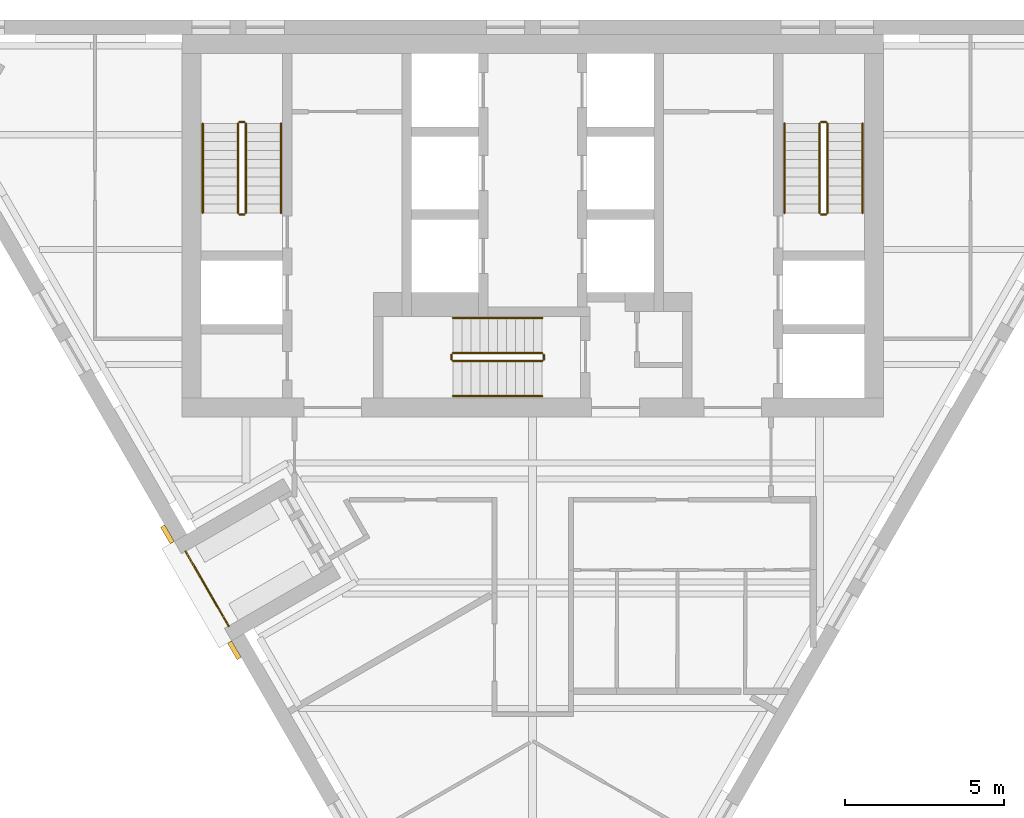
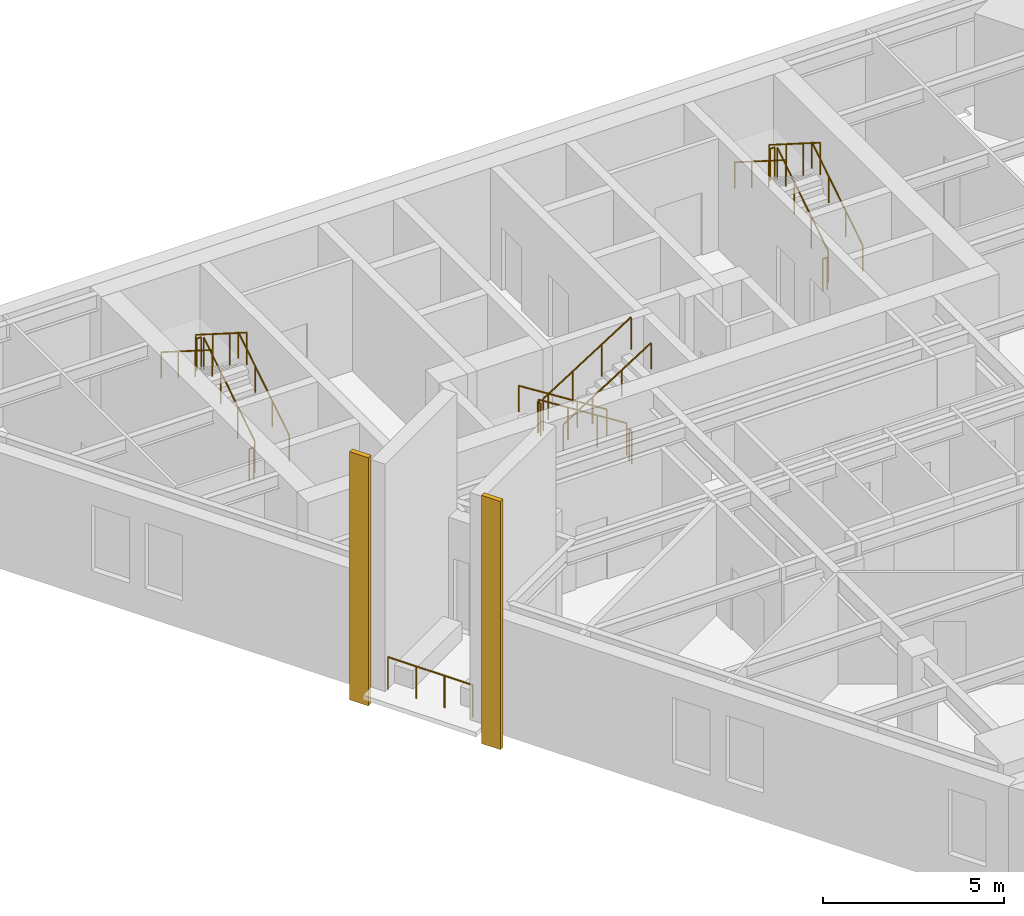
# One storey, part 7 of 7: 19 railings, 2 coverings.
"""IFC4 building model written with IfcOpenShell, lengths in metres."""

from ifc_helpers import new_model, si_unit, direction, frame, origin, origin_2d, place, context, subcontext, project, spatial, polyline, circle, outline, extrude, material, layer, layer_set, type_object, element, save


model = new_model("IFC4")

# Units and contexts
model_context = context("Model", 3, precision=1e-05, world=origin(), true_north=direction((0.0, 1.0)))
body_context = subcontext(model_context, "Body", "Model", "MODEL_VIEW")
ifc_project = project(units=[si_unit("LENGTHUNIT", "METRE"), si_unit("AREAUNIT", "SQUARE_METRE"), si_unit("VOLUMEUNIT", "CUBIC_METRE"), si_unit("PLANEANGLEUNIT", "RADIAN"), si_unit("MASSUNIT", "GRAM", prefix="KILO")], contexts=[model_context])

# Site, building, storey
site_placement = place(None, origin())
site = spatial("IfcSite", under=ifc_project, at=site_placement, CompositionType="ELEMENT")
building_placement = place(site_placement, origin())
building = spatial("IfcBuilding", under=site, at=building_placement, Name="Aloe Facet Convention Tower", CompositionType="ELEMENT")
storey_placement = place(building_placement, frame((0.0, 0.0, 258.199951171875)))
storey = spatial("IfcBuildingStorey", under=building, at=storey_placement, Name="L63", CompositionType="ELEMENT", Elevation=258.199951171875)

# Railings
ifc_material_1 = material(Name="Steel S355 balustrade", Category="steel")
railing_type_1 = type_object("IfcRailingType", Name="CR-RL-GUARD", PredefinedType="GUARDRAIL", material=ifc_material_1)
railing_1_placement = place(storey_placement, frame((71.0, 128.949951171875, 0.17724609375)))
element("IfcRailing", 1, at=railing_1_placement, inside=storey, type_object=railing_type_1, Name="L63 ST1 stair guard 1", PredefinedType="GUARDRAIL", context=body_context, shape_type="SweptSolid", body=[
    extrude(circle(Radius=0.02392578125, at=origin_2d()), frame((0.0, 0.0, 1.076171875), z_axis=(0.0, 0.844908973607, 0.534910110503), x_axis=(-1.0, 0.0, 0.0)), (0.0, 0.0, 1.0), 3.31396484375),
    extrude(circle(Radius=0.02099609375, at=origin_2d()), origin(), (0.0, 0.0, 1.0), 1.052001953125),
    extrude(circle(Radius=0.02099609375, at=origin_2d()), frame((0.0, 0.933349609375, 0.5908203125)), (0.0, 0.0, 1.0), 1.052001953125),
    extrude(circle(Radius=0.02099609375, at=origin_2d()), frame((0.0, 1.86669921875, 1.181884765625)), (0.0, 0.0, 1.0), 1.052001953125),
    extrude(circle(Radius=0.02099609375, at=origin_2d()), frame((0.0, 2.800048828125, 1.772705078125)), (0.0, 0.0, 1.0), 1.052001953125),
])
railing_2_placement = place(storey_placement, frame((70.949951171875, 131.800048828125, 1.949951171875)))
element("IfcRailing", 2, at=railing_2_placement, inside=storey, type_object=railing_type_1, Name="L63 ST1 stair guard 2", PredefinedType="GUARDRAIL", context=body_context, shape_type="SweptSolid", body=[
    extrude(circle(Radius=0.02392578125, at=origin_2d()), frame((0.0, 0.0, 1.076171875), z_axis=(-1.0, 0.0, 0.0), x_axis=(0.0, -1.0, 0.0)), (0.0, 0.0, 1.0), 0.14990234375),
    extrude(circle(Radius=0.02099609375, at=origin_2d()), origin(), (0.0, 0.0, 1.0), 1.052001953125),
    extrude(circle(Radius=0.02099609375, at=origin_2d()), frame((-0.14990234375, 0.0, 0.0)), (0.0, 0.0, 1.0), 1.052001953125),
])
railing_3_placement = place(storey_placement, frame((70.75, 131.75, 2.12744140625)))
element("IfcRailing", 3, at=railing_3_placement, inside=storey, type_object=railing_type_1, Name="L63 ST1 stair guard 3", PredefinedType="GUARDRAIL", context=body_context, shape_type="SweptSolid", body=[
    extrude(circle(Radius=0.02392578125, at=origin_2d()), frame((0.0, 0.0, 1.076171875), z_axis=(0.0, -0.844908973607, 0.534910110503), x_axis=(1.0, 0.0, 0.0)), (0.0, 0.0, 1.0), 3.31396484375),
    extrude(circle(Radius=0.02099609375, at=origin_2d()), origin(), (0.0, 0.0, 1.0), 1.052001953125),
    extrude(circle(Radius=0.02099609375, at=origin_2d()), frame((0.0, -0.933349609375, 0.5908203125)), (0.0, 0.0, 1.0), 1.052001953125),
    extrude(circle(Radius=0.02099609375, at=origin_2d()), frame((0.0, -1.86669921875, 1.181884765625)), (0.0, 0.0, 1.0), 1.052001953125),
    extrude(circle(Radius=0.02099609375, at=origin_2d()), frame((0.0, -2.800048828125, 1.772705078125)), (0.0, 0.0, 1.0), 1.052001953125),
])
railing_4_placement = place(storey_placement, frame((70.949951171875, 128.89990234375, 0.0)))
element("IfcRailing", 4, at=railing_4_placement, inside=storey, type_object=railing_type_1, Name="L63 ST1 stair guard 4", PredefinedType="GUARDRAIL", context=body_context, shape_type="SweptSolid", body=[
    extrude(circle(Radius=0.02392578125, at=origin_2d()), frame((0.0, 0.0, 1.076171875), z_axis=(-1.0, 0.0, 0.0), x_axis=(0.0, -1.0, 0.0)), (0.0, 0.0, 1.0), 0.14990234375),
    extrude(circle(Radius=0.02099609375, at=origin_2d()), origin(), (0.0, 0.0, 1.0), 1.052001953125),
    extrude(circle(Radius=0.02099609375, at=origin_2d()), frame((-0.14990234375, 0.0, 0.0)), (0.0, 0.0, 1.0), 1.052001953125),
])
railing_5_placement = place(storey_placement, frame((89.25, 128.949951171875, 0.17724609375)))
element("IfcRailing", 5, at=railing_5_placement, inside=storey, type_object=railing_type_1, Name="L63 ST2 stair guard 1", PredefinedType="GUARDRAIL", context=body_context, shape_type="SweptSolid", body=[
    extrude(circle(Radius=0.02392578125, at=origin_2d()), frame((0.0, 0.0, 1.076171875), z_axis=(0.0, 0.844908973607, 0.534910110503), x_axis=(-1.0, 0.0, 0.0)), (0.0, 0.0, 1.0), 3.31396484375),
    extrude(circle(Radius=0.02099609375, at=origin_2d()), origin(), (0.0, 0.0, 1.0), 1.052001953125),
    extrude(circle(Radius=0.02099609375, at=origin_2d()), frame((0.0, 0.933349609375, 0.5908203125)), (0.0, 0.0, 1.0), 1.052001953125),
    extrude(circle(Radius=0.02099609375, at=origin_2d()), frame((0.0, 1.86669921875, 1.181884765625)), (0.0, 0.0, 1.0), 1.052001953125),
    extrude(circle(Radius=0.02099609375, at=origin_2d()), frame((0.0, 2.800048828125, 1.772705078125)), (0.0, 0.0, 1.0), 1.052001953125),
])
railing_6_placement = place(storey_placement, frame((89.199951171875, 131.800048828125, 1.949951171875)))
element("IfcRailing", 6, at=railing_6_placement, inside=storey, type_object=railing_type_1, Name="L63 ST2 stair guard 2", PredefinedType="GUARDRAIL", context=body_context, shape_type="SweptSolid", body=[
    extrude(circle(Radius=0.02392578125, at=origin_2d()), frame((0.0, 0.0, 1.076171875), z_axis=(-1.0, 0.0, 0.0), x_axis=(0.0, -1.0, 0.0)), (0.0, 0.0, 1.0), 0.14990234375),
    extrude(circle(Radius=0.02099609375, at=origin_2d()), origin(), (0.0, 0.0, 1.0), 1.052001953125),
    extrude(circle(Radius=0.02099609375, at=origin_2d()), frame((-0.14990234375, 0.0, 0.0)), (0.0, 0.0, 1.0), 1.052001953125),
])
railing_7_placement = place(storey_placement, frame((89.0, 131.75, 2.12744140625)))
element("IfcRailing", 7, at=railing_7_placement, inside=storey, type_object=railing_type_1, Name="L63 ST2 stair guard 3", PredefinedType="GUARDRAIL", context=body_context, shape_type="SweptSolid", body=[
    extrude(circle(Radius=0.02392578125, at=origin_2d()), frame((0.0, 0.0, 1.076171875), z_axis=(0.0, -0.844908973607, 0.534910110503), x_axis=(1.0, 0.0, 0.0)), (0.0, 0.0, 1.0), 3.31396484375),
    extrude(circle(Radius=0.02099609375, at=origin_2d()), origin(), (0.0, 0.0, 1.0), 1.052001953125),
    extrude(circle(Radius=0.02099609375, at=origin_2d()), frame((0.0, -0.933349609375, 0.5908203125)), (0.0, 0.0, 1.0), 1.052001953125),
    extrude(circle(Radius=0.02099609375, at=origin_2d()), frame((0.0, -1.86669921875, 1.181884765625)), (0.0, 0.0, 1.0), 1.052001953125),
    extrude(circle(Radius=0.02099609375, at=origin_2d()), frame((0.0, -2.800048828125, 1.772705078125)), (0.0, 0.0, 1.0), 1.052001953125),
])
railing_8_placement = place(storey_placement, frame((89.199951171875, 128.89990234375, 0.0)))
element("IfcRailing", 8, at=railing_8_placement, inside=storey, type_object=railing_type_1, Name="L63 ST2 stair guard 4", PredefinedType="GUARDRAIL", context=body_context, shape_type="SweptSolid", body=[
    extrude(circle(Radius=0.02392578125, at=origin_2d()), frame((0.0, 0.0, 1.076171875), z_axis=(-1.0, 0.0, 0.0), x_axis=(0.0, -1.0, 0.0)), (0.0, 0.0, 1.0), 0.14990234375),
    extrude(circle(Radius=0.02099609375, at=origin_2d()), origin(), (0.0, 0.0, 1.0), 1.052001953125),
    extrude(circle(Radius=0.02099609375, at=origin_2d()), frame((-0.14990234375, 0.0, 0.0)), (0.0, 0.0, 1.0), 1.052001953125),
])
railing_9_placement = place(storey_placement, frame((80.300048828125, 124.550048828125, 0.17724609375)))
element("IfcRailing", 9, at=railing_9_placement, inside=storey, type_object=railing_type_1, Name="L63 ST3 stair guard 1", PredefinedType="GUARDRAIL", context=body_context, shape_type="SweptSolid", body=[
    extrude(circle(Radius=0.02392578125, at=origin_2d()), frame((0.0, 0.0, 1.076171875), z_axis=(-0.844908973607, 0.0, 0.534910110503), x_axis=(0.0, -1.0, 0.0)), (0.0, 0.0, 1.0), 3.31396484375),
    extrude(circle(Radius=0.02099609375, at=origin_2d()), origin(), (0.0, 0.0, 1.0), 1.052001953125),
    extrude(circle(Radius=0.02099609375, at=origin_2d()), frame((-0.933349609375, 0.0, 0.5908203125)), (0.0, 0.0, 1.0), 1.052001953125),
    extrude(circle(Radius=0.02099609375, at=origin_2d()), frame((-1.86669921875, 0.0, 1.181884765625)), (0.0, 0.0, 1.0), 1.052001953125),
    extrude(circle(Radius=0.02099609375, at=origin_2d()), frame((-2.800048828125, 0.0, 1.772705078125)), (0.0, 0.0, 1.0), 1.052001953125),
])
railing_10_placement = place(storey_placement, frame((77.449951171875, 124.5, 1.949951171875)))
element("IfcRailing", 10, at=railing_10_placement, inside=storey, type_object=railing_type_1, Name="L63 ST3 stair guard 2", PredefinedType="GUARDRAIL", context=body_context, shape_type="SweptSolid", body=[
    extrude(circle(Radius=0.02392578125, at=origin_2d()), frame((0.0, 0.0, 1.076171875), z_axis=(0.0, -1.0, 0.0), x_axis=(1.0, 0.0, 0.0)), (0.0, 0.0, 1.0), 0.14990234375),
    extrude(circle(Radius=0.02099609375, at=origin_2d()), origin(), (0.0, 0.0, 1.0), 1.052001953125),
    extrude(circle(Radius=0.02099609375, at=origin_2d()), frame((0.0, -0.14990234375, 0.0)), (0.0, 0.0, 1.0), 1.052001953125),
])
railing_11_placement = place(storey_placement, frame((77.5, 124.300048828125, 2.12744140625)))
element("IfcRailing", 11, at=railing_11_placement, inside=storey, type_object=railing_type_1, Name="L63 ST3 stair guard 3", PredefinedType="GUARDRAIL", context=body_context, shape_type="SweptSolid", body=[
    extrude(circle(Radius=0.02392578125, at=origin_2d()), frame((0.0, 0.0, 1.076171875), z_axis=(0.844908973607, 0.0, 0.534910110503), x_axis=(0.0, 1.0, 0.0)), (0.0, 0.0, 1.0), 3.31396484375),
    extrude(circle(Radius=0.02099609375, at=origin_2d()), origin(), (0.0, 0.0, 1.0), 1.052001953125),
    extrude(circle(Radius=0.02099609375, at=origin_2d()), frame((0.933349609375, 0.0, 0.5908203125)), (0.0, 0.0, 1.0), 1.052001953125),
    extrude(circle(Radius=0.02099609375, at=origin_2d()), frame((1.86669921875, 0.0, 1.181884765625)), (0.0, 0.0, 1.0), 1.052001953125),
    extrude(circle(Radius=0.02099609375, at=origin_2d()), frame((2.800048828125, 0.0, 1.772705078125)), (0.0, 0.0, 1.0), 1.052001953125),
])
railing_12_placement = place(storey_placement, frame((80.35009765625, 124.5, 0.0)))
element("IfcRailing", 12, at=railing_12_placement, inside=storey, type_object=railing_type_1, Name="L63 ST3 stair guard 4", PredefinedType="GUARDRAIL", context=body_context, shape_type="SweptSolid", body=[
    extrude(circle(Radius=0.02392578125, at=origin_2d()), frame((0.0, 0.0, 1.076171875), z_axis=(0.0, -1.0, 0.0), x_axis=(1.0, 0.0, 0.0)), (0.0, 0.0, 1.0), 0.14990234375),
    extrude(circle(Radius=0.02099609375, at=origin_2d()), origin(), (0.0, 0.0, 1.0), 1.052001953125),
    extrude(circle(Radius=0.02099609375, at=origin_2d()), frame((0.0, -0.14990234375, 0.0)), (0.0, 0.0, 1.0), 1.052001953125),
])
ifc_material_2 = material(Name="Steel S355 handrail", Category="steel")
railing_type_2 = type_object("IfcRailingType", Name="CR-RL-HAND", PredefinedType="HANDRAIL", material=ifc_material_2)
railing_13_placement = place(storey_placement, frame((72.10009765625, 128.949951171875, 0.17724609375)))
element("IfcRailing", 13, at=railing_13_placement, inside=storey, type_object=railing_type_2, Name="L63 ST1 stair handrail 1", PredefinedType="HANDRAIL", context=body_context, shape_type="SweptSolid", body=[
    extrude(circle(Radius=0.02392578125, at=origin_2d()), frame((0.0, 0.0, 0.8759765625), z_axis=(0.0, 0.844908973607, 0.534910110503), x_axis=(-1.0, 0.0, 0.0)), (0.0, 0.0, 1.0), 3.31396484375),
    extrude(circle(Radius=0.02099609375, at=origin_2d()), origin(), (0.0, 0.0, 1.0), 0.851806640625),
    extrude(circle(Radius=0.02099609375, at=origin_2d()), frame((0.0, 0.933349609375, 0.5908203125)), (0.0, 0.0, 1.0), 0.851806640625),
    extrude(circle(Radius=0.02099609375, at=origin_2d()), frame((0.0, 1.86669921875, 1.181884765625)), (0.0, 0.0, 1.0), 0.851806640625),
    extrude(circle(Radius=0.02099609375, at=origin_2d()), frame((0.0, 2.800048828125, 1.772705078125)), (0.0, 0.0, 1.0), 0.851806640625),
])
railing_14_placement = place(storey_placement, frame((69.64990234375, 131.75, 2.12744140625)))
element("IfcRailing", 14, at=railing_14_placement, inside=storey, type_object=railing_type_2, Name="L63 ST1 stair handrail 2", PredefinedType="HANDRAIL", context=body_context, shape_type="SweptSolid", body=[
    extrude(circle(Radius=0.02392578125, at=origin_2d()), frame((0.0, 0.0, 0.8759765625), z_axis=(0.0, -0.844908973607, 0.534910110503), x_axis=(1.0, 0.0, 0.0)), (0.0, 0.0, 1.0), 3.31396484375),
    extrude(circle(Radius=0.02099609375, at=origin_2d()), origin(), (0.0, 0.0, 1.0), 0.851806640625),
    extrude(circle(Radius=0.02099609375, at=origin_2d()), frame((0.0, -0.933349609375, 0.5908203125)), (0.0, 0.0, 1.0), 0.851806640625),
    extrude(circle(Radius=0.02099609375, at=origin_2d()), frame((0.0, -1.86669921875, 1.181884765625)), (0.0, 0.0, 1.0), 0.851806640625),
    extrude(circle(Radius=0.02099609375, at=origin_2d()), frame((0.0, -2.800048828125, 1.772705078125)), (0.0, 0.0, 1.0), 0.851806640625),
])
railing_15_placement = place(storey_placement, frame((90.35009765625, 128.949951171875, 0.17724609375)))
element("IfcRailing", 15, at=railing_15_placement, inside=storey, type_object=railing_type_2, Name="L63 ST2 stair handrail 1", PredefinedType="HANDRAIL", context=body_context, shape_type="SweptSolid", body=[
    extrude(circle(Radius=0.02392578125, at=origin_2d()), frame((0.0, 0.0, 0.8759765625), z_axis=(0.0, 0.844908973607, 0.534910110503), x_axis=(-1.0, 0.0, 0.0)), (0.0, 0.0, 1.0), 3.31396484375),
    extrude(circle(Radius=0.02099609375, at=origin_2d()), origin(), (0.0, 0.0, 1.0), 0.851806640625),
    extrude(circle(Radius=0.02099609375, at=origin_2d()), frame((0.0, 0.933349609375, 0.5908203125)), (0.0, 0.0, 1.0), 0.851806640625),
    extrude(circle(Radius=0.02099609375, at=origin_2d()), frame((0.0, 1.86669921875, 1.181884765625)), (0.0, 0.0, 1.0), 0.851806640625),
    extrude(circle(Radius=0.02099609375, at=origin_2d()), frame((0.0, 2.800048828125, 1.772705078125)), (0.0, 0.0, 1.0), 0.851806640625),
])
railing_16_placement = place(storey_placement, frame((87.89990234375, 131.75, 2.12744140625)))
element("IfcRailing", 16, at=railing_16_placement, inside=storey, type_object=railing_type_2, Name="L63 ST2 stair handrail 2", PredefinedType="HANDRAIL", context=body_context, shape_type="SweptSolid", body=[
    extrude(circle(Radius=0.02392578125, at=origin_2d()), frame((0.0, 0.0, 0.8759765625), z_axis=(0.0, -0.844908973607, 0.534910110503), x_axis=(1.0, 0.0, 0.0)), (0.0, 0.0, 1.0), 3.31396484375),
    extrude(circle(Radius=0.02099609375, at=origin_2d()), origin(), (0.0, 0.0, 1.0), 0.851806640625),
    extrude(circle(Radius=0.02099609375, at=origin_2d()), frame((0.0, -0.933349609375, 0.5908203125)), (0.0, 0.0, 1.0), 0.851806640625),
    extrude(circle(Radius=0.02099609375, at=origin_2d()), frame((0.0, -1.86669921875, 1.181884765625)), (0.0, 0.0, 1.0), 0.851806640625),
    extrude(circle(Radius=0.02099609375, at=origin_2d()), frame((0.0, -2.800048828125, 1.772705078125)), (0.0, 0.0, 1.0), 0.851806640625),
])
railing_17_placement = place(storey_placement, frame((80.300048828125, 125.64990234375, 0.17724609375)))
element("IfcRailing", 17, at=railing_17_placement, inside=storey, type_object=railing_type_2, Name="L63 ST3 stair handrail 1", PredefinedType="HANDRAIL", context=body_context, shape_type="SweptSolid", body=[
    extrude(circle(Radius=0.02392578125, at=origin_2d()), frame((0.0, 0.0, 0.8759765625), z_axis=(-0.844908973607, 0.0, 0.534910110503), x_axis=(0.0, -1.0, 0.0)), (0.0, 0.0, 1.0), 3.31396484375),
    extrude(circle(Radius=0.02099609375, at=origin_2d()), origin(), (0.0, 0.0, 1.0), 0.851806640625),
    extrude(circle(Radius=0.02099609375, at=origin_2d()), frame((-0.933349609375, 0.0, 0.5908203125)), (0.0, 0.0, 1.0), 0.851806640625),
    extrude(circle(Radius=0.02099609375, at=origin_2d()), frame((-1.86669921875, 0.0, 1.181884765625)), (0.0, 0.0, 1.0), 0.851806640625),
    extrude(circle(Radius=0.02099609375, at=origin_2d()), frame((-2.800048828125, 0.0, 1.772705078125)), (0.0, 0.0, 1.0), 0.851806640625),
])
railing_18_placement = place(storey_placement, frame((77.5, 123.199951171875, 2.12744140625)))
element("IfcRailing", 18, at=railing_18_placement, inside=storey, type_object=railing_type_2, Name="L63 ST3 stair handrail 2", PredefinedType="HANDRAIL", context=body_context, shape_type="SweptSolid", body=[
    extrude(circle(Radius=0.02392578125, at=origin_2d()), frame((0.0, 0.0, 0.8759765625), z_axis=(0.844908973607, 0.0, 0.534910110503), x_axis=(0.0, 1.0, 0.0)), (0.0, 0.0, 1.0), 3.31396484375),
    extrude(circle(Radius=0.02099609375, at=origin_2d()), origin(), (0.0, 0.0, 1.0), 0.851806640625),
    extrude(circle(Radius=0.02099609375, at=origin_2d()), frame((0.933349609375, 0.0, 0.5908203125)), (0.0, 0.0, 1.0), 0.851806640625),
    extrude(circle(Radius=0.02099609375, at=origin_2d()), frame((1.86669921875, 0.0, 1.181884765625)), (0.0, 0.0, 1.0), 0.851806640625),
    extrude(circle(Radius=0.02099609375, at=origin_2d()), frame((2.800048828125, 0.0, 1.772705078125)), (0.0, 0.0, 1.0), 0.851806640625),
])

# Coverings
ifc_material_3 = material(Name="Bronze oxide fascia sheet")
ifc_layer = layer(ifc_material_3, 0.14990234375)
ifc_layer_set = layer_set([ifc_layer], Name="EV-FASCIA-TERR")
covering_type = type_object("IfcCoveringType", Name="EV-FASCIA-TERR", PredefinedType="CLADDING", material=ifc_layer_set)
covering_1_placement = place(storey_placement, frame((0.0, 0.0, -0.550048828125)))
element("IfcCovering", 19, at=covering_1_placement, inside=storey, type_object=covering_type, Name="Terrace frame T14 1", PredefinedType="CLADDING", context=body_context, shape_type="SweptSolid", body=[
    extrude(outline(polyline([(68.326904296875, 119.088623046875), (68.626953125, 118.569091796875), (68.7568359375, 118.64404296875), (68.45703125, 119.163818359375), (68.326904296875, 119.088623046875)])), origin(), (0.0, 0.0, 1.0), 8.35009765625),
])
covering_2_placement = place(storey_placement, frame((0.0, 0.0, -0.550048828125)))
element("IfcCovering", 20, at=covering_2_placement, inside=storey, type_object=covering_type, Name="Terrace frame T14 2", PredefinedType="CLADDING", context=body_context, shape_type="SweptSolid", body=[
    extrude(outline(polyline([(70.427001953125, 115.451416015625), (70.72705078125, 114.931884765625), (70.85693359375, 115.0068359375), (70.556884765625, 115.5263671875), (70.427001953125, 115.451416015625)])), origin(), (0.0, 0.0, 1.0), 8.35009765625),
])

# Railing
ifc_material_4 = material(Name="Steel S355, bronze oxide finish", Category="steel")
railing_type_3 = type_object("IfcRailingType", Name="EV-GUARD-TERR", PredefinedType="GUARDRAIL", material=ifc_material_4)
railing_19_placement = place(storey_placement, frame((69.11181640625, 118.329345703125, 0.0)))
element("IfcRailing", 21, at=railing_19_placement, inside=storey, type_object=railing_type_3, Name="GUARD T14", PredefinedType="GUARDRAIL", context=body_context, shape_type="SweptSolid", body=[
    extrude(circle(Radius=0.02392578125, at=origin_2d()), frame((0.0, 0.0, 1.076171875), z_axis=(0.500048589285, -0.86599734893, 0.0), x_axis=(0.86599734893, 0.500048589285, 0.0)), (0.0, 0.0, 1.0), 2.699951171875),
    extrude(circle(Radius=0.02099609375, at=origin_2d()), origin(), (0.0, 0.0, 1.0), 1.052001953125),
    extrude(circle(Radius=0.02099609375, at=origin_2d()), frame((0.449951171875, -0.779296875, 0.0)), (0.0, 0.0, 1.0), 1.052001953125),
    extrude(circle(Radius=0.02099609375, at=origin_2d()), frame((0.900146484375, -1.558837890625, 0.0)), (0.0, 0.0, 1.0), 1.052001953125),
    extrude(circle(Radius=0.02099609375, at=origin_2d()), frame((1.35009765625, -2.338134765625, 0.0)), (0.0, 0.0, 1.0), 1.052001953125),
])

save(model, "model.ifc")
